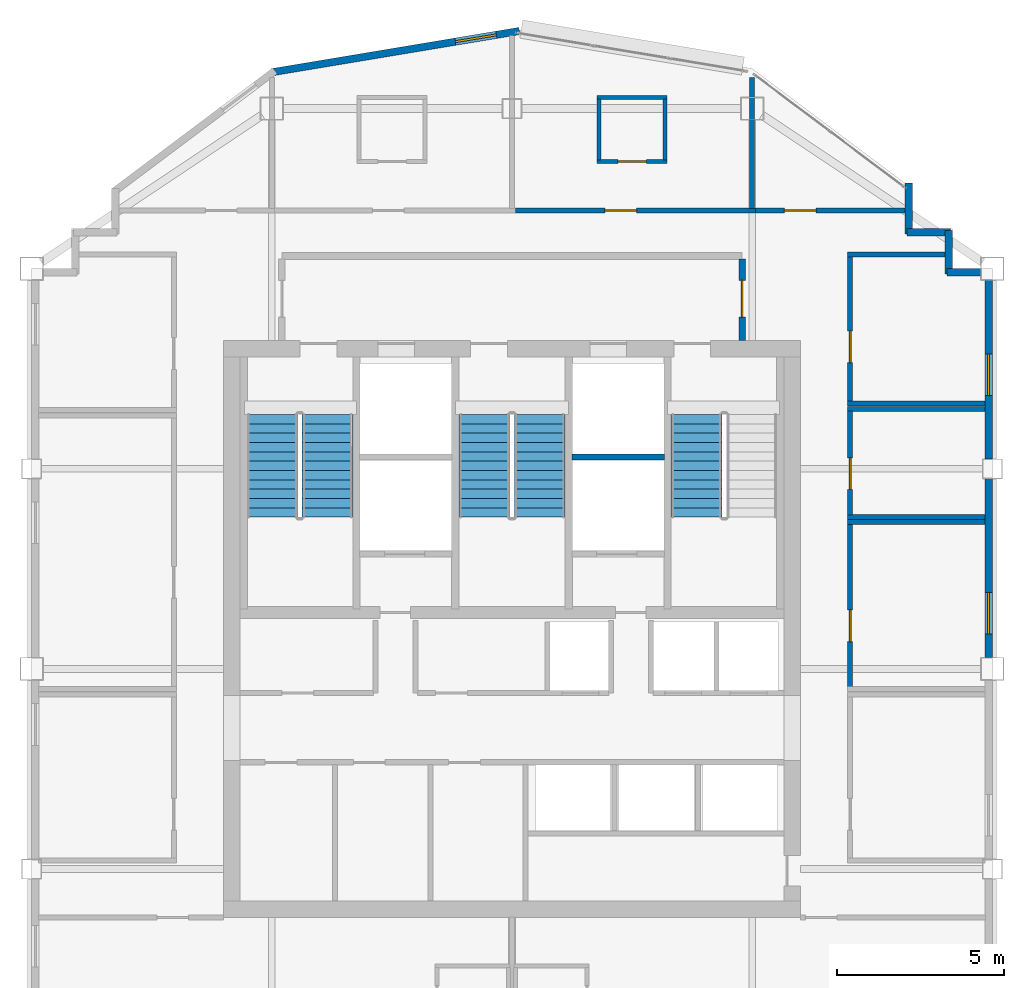
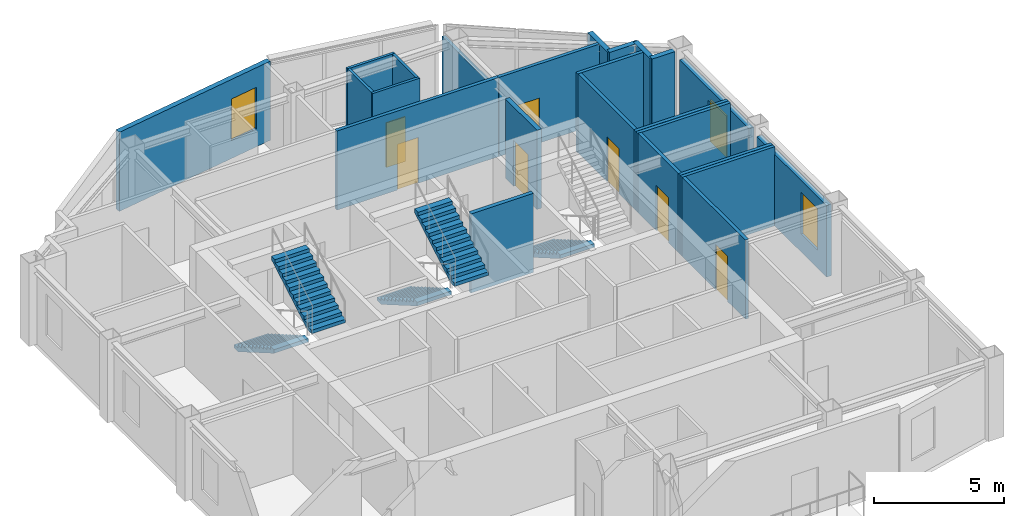
# One storey, part 7 of 10: 24 walls, 7 doors, 5 stair flights, 3 windows, 10 openings, 3 elements without a shape of their own.
"""IFC4 building model written with IfcOpenShell, lengths in metres."""

from ifc_helpers import new_model, si_unit, direction, frame, frame_2d, origin, place, context, subcontext, project, spatial, polyline, rectangle, outline, extrude, material, layer, layer_set, type_object, element, fill, aggregate, save


model = new_model("IFC4")

# Units and contexts
model_context = context("Model", 3, precision=1e-05, world=origin(), true_north=direction((0.0, 1.0)))
body_context = subcontext(model_context, "Body", "Model", "MODEL_VIEW")
ifc_project = project(units=[si_unit("LENGTHUNIT", "METRE"), si_unit("AREAUNIT", "SQUARE_METRE"), si_unit("VOLUMEUNIT", "CUBIC_METRE"), si_unit("PLANEANGLEUNIT", "RADIAN"), si_unit("MASSUNIT", "GRAM", prefix="KILO")], contexts=[model_context])

# Site, building, storey
site_placement = place(None, origin())
site = spatial("IfcSite", under=ifc_project, at=site_placement, CompositionType="ELEMENT")
building_placement = place(site_placement, origin())
building = spatial("IfcBuilding", under=site, at=building_placement, Name="Haolan Belvedere Tower", CompositionType="ELEMENT")
storey_placement = place(building_placement, frame((0.0, 0.0, 286.10009765625)))
storey = spatial("IfcBuildingStorey", under=building, at=storey_placement, Name="L72", CompositionType="ELEMENT", Elevation=286.10009765625)

# Wall, opening, window
ifc_material_1 = material(Name="Precast concrete C40/50", Category="concrete")
ifc_layer_1 = layer(ifc_material_1, 0.219970703125, Name="Precast concrete C40/50")
ifc_layer_set_1 = layer_set([ifc_layer_1], Name="Precast concrete C40/50")
wall_type_1 = type_object("IfcWallType", Name="WL-EXT-220", PredefinedType="SOLIDWALL", material=ifc_layer_set_1)
wall_1_placement = place(storey_placement, frame((52.68994140625, 33.94189453125, 0.0), z_axis=(0.0, 0.0, 1.0), x_axis=(0.0, 1.0, 0.0)))
wall_1 = element("IfcWall", 1, at=wall_1_placement, inside=storey, type_object=wall_type_1, Name="L72 pale-metal exterior spandrel wall 3.3", PredefinedType="SOLIDWALL", context=body_context, shape_type="SweptSolid", body=[
    extrude(rectangle(XDim=5.3662109375, YDim=0.219970703125, at=frame_2d((2.68310546875, 0.0))), origin(), (0.0, 0.0, 1.0), 3.364990234375),
])
opening_1_placement = place(wall_1_placement, frame((0.699951171875, 0.0, 0.85009765625)))
opening_1 = element("IfcOpeningElement", 2, at=opening_1_placement, cuts=wall_1, Name="Opening W-04", PredefinedType="OPENING", context=body_context, shape_type="SweptSolid", body=[
    extrude(rectangle(XDim=1.25, YDim=1.949951171875, at=frame_2d((0.625, 0.97509765625))), frame((0.0, 0.119873046875, 0.0), z_axis=(0.0, -1.0, 0.0), x_axis=(1.0, 0.0, 0.0)), (0.0, 0.0, 1.0), 0.239990234375),
])
ifc_material_2 = material(Name="Anodised aluminium 6063-T6 and Low-E glass", Category="aluminium")
window_type = type_object("IfcWindowType", Name="WN-DECO-Z4", PartitioningType="SINGLE_PANEL", PredefinedType="WINDOW", material=ifc_material_2)
window_1_placement = place(opening_1_placement, origin())
window_1 = element("IfcWindow", 3, at=window_1_placement, inside=storey, type_object=window_type, Name="L72 Art Deco chevron window 1", OverallHeight=1.949951171875, OverallWidth=1.25, PartitioningType="SINGLE_PANEL", PredefinedType="WINDOW", context=body_context, shape_type="SweptSolid", body=[
    extrude(rectangle(XDim=1.25, YDim=1.949951171875, at=frame_2d((0.625, 0.97509765625))), frame((0.0, 0.030029296875, 0.0), z_axis=(0.0, -1.0, 0.0), x_axis=(1.0, 0.0, 0.0)), (0.0, 0.0, 1.0), 0.06005859375),
])
fill(opening_1, window_1)

wall_2_placement = place(storey_placement, frame((52.68994140625, 39.89208984375, 0.0), z_axis=(0.0, 0.0, 1.0), x_axis=(0.0, 1.0, 0.0)))
wall_2 = element("IfcWall", 4, at=wall_2_placement, inside=storey, type_object=wall_type_1, Name="L72 pale-metal exterior spandrel wall 3.4", PredefinedType="SOLIDWALL", context=body_context, shape_type="SweptSolid", body=[
    extrude(rectangle(XDim=5.365966796875, YDim=0.219970703125, at=frame_2d((2.68310546875, 0.0))), origin(), (0.0, 0.0, 1.0), 3.364990234375),
])
opening_2_placement = place(wall_2_placement, frame((1.903076171875, 0.0, 0.85009765625)))
opening_2 = element("IfcOpeningElement", 5, at=opening_2_placement, cuts=wall_2, Name="Opening W-04", PredefinedType="OPENING", context=body_context, shape_type="SweptSolid", body=[
    extrude(rectangle(XDim=1.25, YDim=1.949951171875, at=frame_2d((0.625, 0.97509765625))), frame((0.0, 0.119873046875, 0.0), z_axis=(0.0, -1.0, 0.0), x_axis=(1.0, 0.0, 0.0)), (0.0, 0.0, 1.0), 0.239990234375),
])
window_2_placement = place(opening_2_placement, origin())
window_2 = element("IfcWindow", 6, at=window_2_placement, inside=storey, type_object=window_type, Name="L72 Art Deco chevron window 1", OverallHeight=1.949951171875, OverallWidth=1.25, PartitioningType="SINGLE_PANEL", PredefinedType="WINDOW", context=body_context, shape_type="SweptSolid", body=[
    extrude(rectangle(XDim=1.25, YDim=1.949951171875, at=frame_2d((0.625, 0.97509765625))), frame((0.0, 0.030029296875, 0.0), z_axis=(0.0, -1.0, 0.0), x_axis=(1.0, 0.0, 0.0)), (0.0, 0.0, 1.0), 0.06005859375),
])
fill(opening_2, window_2)

# Walls
wall_3_placement = place(storey_placement, frame((52.4580078125, 45.489990234375, 0.0), z_axis=(0.0, 0.0, 1.0), x_axis=(-1.0, 0.0, 0.0)))
element("IfcWall", 7, at=wall_3_placement, inside=storey, type_object=wall_type_1, Name="L72 pale-metal exterior spandrel wall 4.1", PredefinedType="SOLIDWALL", context=body_context, shape_type="SweptSolid", body=[
    extrude(rectangle(XDim=1.02294921875, YDim=0.219970703125, at=frame_2d((0.511474609375, 0.0))), origin(), (0.0, 0.0, 1.0), 3.719970703125),
])
wall_4_placement = place(storey_placement, frame((51.489990234375, 45.43505859375, 0.0), z_axis=(0.0, 0.0, 1.0), x_axis=(0.0, 1.0, 0.0)))
element("IfcWall", 8, at=wall_4_placement, inside=storey, type_object=wall_type_1, Name="L72 pale-metal exterior spandrel wall 5.1", PredefinedType="SOLIDWALL", context=body_context, shape_type="SweptSolid", body=[
    extrude(rectangle(XDim=1.31005859375, YDim=0.219970703125, at=frame_2d((0.655029296875, 0.0))), origin(), (0.0, 0.0, 1.0), 3.719970703125),
])
wall_5_placement = place(storey_placement, frame((51.544921875, 46.68994140625, 0.0), z_axis=(0.0, 0.0, 1.0), x_axis=(-1.0, 0.0, 0.0)))
element("IfcWall", 9, at=wall_5_placement, inside=storey, type_object=wall_type_1, Name="L72 pale-metal exterior spandrel wall 6.1", PredefinedType="SOLIDWALL", context=body_context, shape_type="SweptSolid", body=[
    extrude(rectangle(XDim=1.309814453125, YDim=0.219970703125, at=frame_2d((0.65478515625, 0.0))), origin(), (0.0, 0.0, 1.0), 3.719970703125),
])
wall_6_placement = place(storey_placement, frame((50.2900390625, 46.635009765625, 0.0), z_axis=(0.0, 0.0, 1.0), x_axis=(0.0, 1.0, 0.0)))
element("IfcWall", 10, at=wall_6_placement, inside=storey, type_object=wall_type_1, Name="L72 pale-metal exterior spandrel wall 7.1", PredefinedType="SOLIDWALL", context=body_context, shape_type="SweptSolid", body=[
    extrude(rectangle(XDim=1.534912109375, YDim=0.219970703125, at=frame_2d((0.767578125, 0.0))), origin(), (0.0, 0.0, 1.0), 3.719970703125),
])

# Wall, opening, window
wall_7_placement = place(storey_placement, frame((38.621826171875, 52.7255859375, 0.0), z_axis=(0.0, 0.0, 1.0), x_axis=(-0.986390420428, -0.164420006349, 0.0)))
wall_7 = element("IfcWall", 11, at=wall_7_placement, inside=storey, type_object=wall_type_1, Name="L72 pale-metal exterior spandrel wall 10.1", PredefinedType="SOLIDWALL", context=body_context, shape_type="SweptSolid", body=[
    extrude(rectangle(XDim=7.5341796875, YDim=0.219970703125, at=frame_2d((3.76708984375, 0.0))), origin(), (0.0, 0.0, 1.0), 3.719970703125),
])
opening_3_placement = place(wall_7_placement, frame((0.699951171875, 0.0, 0.85009765625)))
opening_3 = element("IfcOpeningElement", 12, at=opening_3_placement, cuts=wall_7, Name="Opening W-04", PredefinedType="OPENING", context=body_context, shape_type="SweptSolid", body=[
    extrude(rectangle(XDim=1.25, YDim=1.949951171875, at=frame_2d((0.625, 0.97509765625))), frame((0.0, 0.119873046875, 0.0), z_axis=(0.0, -1.0, 0.0), x_axis=(1.0, 0.0, 0.0)), (0.0, 0.0, 1.0), 0.239990234375),
])
window_3_placement = place(opening_3_placement, origin())
window_3 = element("IfcWindow", 13, at=window_3_placement, inside=storey, type_object=window_type, Name="L72 Art Deco chevron window 1", OverallHeight=1.949951171875, OverallWidth=1.25, PartitioningType="SINGLE_PANEL", PredefinedType="WINDOW", context=body_context, shape_type="SweptSolid", body=[
    extrude(rectangle(XDim=1.25, YDim=1.949951171875, at=frame_2d((0.625, 0.97509765625))), frame((0.0, 0.030029296875, 0.0), z_axis=(0.0, -1.0, 0.0), x_axis=(1.0, 0.0, 0.0)), (0.0, 0.0, 1.0), 0.06005859375),
])
fill(opening_3, window_3)

# Wall, opening, door
ifc_material_3 = material(Name="Concrete C40/50", Category="concrete")
ifc_layer_2 = layer(ifc_material_3, 0.199951171875, Name="Concrete C40/50")
ifc_layer_set_2 = layer_set([ifc_layer_2], Name="Concrete C40/50")
wall_type_2 = type_object("IfcWallType", Name="WL-FIRE-200", PredefinedType="SOLIDWALL", material=ifc_layer_set_2)
wall_8_placement = place(storey_placement, frame((45.300048828125, 43.449951171875, 0.0), z_axis=(0.0, 0.0, 1.0), x_axis=(0.0, 1.0, 0.0)))
wall_8 = element("IfcWall", 14, at=wall_8_placement, inside=storey, type_object=wall_type_2, Name="L72 interior partition IW-L72-FFL-E", PredefinedType="SOLIDWALL", context=body_context, shape_type="SweptSolid", body=[
    extrude(rectangle(XDim=2.445068359375, YDim=0.199951171875, at=frame_2d((1.22265625, 0.0))), origin(), (0.0, 0.0, 1.0), 3.719970703125),
])
opening_4_placement = place(wall_8_placement, frame((0.699951171875, 0.0, 0.0)))
opening_4 = element("IfcOpeningElement", 15, at=opening_4_placement, cuts=wall_8, Name="Opening FD-03", PredefinedType="OPENING", context=body_context, shape_type="SweptSolid", body=[
    extrude(rectangle(XDim=1.10009765625, YDim=2.14990234375, at=frame_2d((0.550048828125, 1.074951171875))), frame((0.0, 0.10986328125, 0.0), z_axis=(0.0, -1.0, 0.0), x_axis=(1.0, 0.0, 0.0)), (0.0, 0.0, 1.0), 0.219970703125),
])
ifc_material_4 = material(Name="Galvanised fire-rated steel", Category="steel")
door_type_1 = type_object("IfcDoorType", Name="DR-FD90-1100", OperationType="NOTDEFINED", PredefinedType="DOOR", material=ifc_material_4)
door_1_placement = place(opening_4_placement, origin())
door_1 = element("IfcDoor", 16, at=door_1_placement, inside=storey, type_object=door_type_1, Name="L72 door ID-L72-FFL-DE", OperationType="SINGLE_SWING_RIGHT", OverallHeight=2.14990234375, OverallWidth=1.10009765625, PredefinedType="DOOR", context=body_context, shape_type="SweptSolid", body=[
    extrude(rectangle(XDim=1.10009765625, YDim=2.14990234375, at=frame_2d((0.550048828125, 1.074951171875))), frame((0.0, 0.02490234375, 0.0), z_axis=(0.0, -1.0, 0.0), x_axis=(1.0, 0.0, 0.0)), (0.0, 0.0, 1.0), 0.050048828125),
])
fill(opening_4, door_1)

# Wall
ifc_material_5 = material(Name="Double gypsum acoustic stud partition", Category="masonry")
ifc_layer_3 = layer(ifc_material_5, 0.14990234375, Name="Double gypsum acoustic stud partition")
ifc_layer_set_3 = layer_set([ifc_layer_3], Name="Double gypsum acoustic stud partition")
wall_type_3 = type_object("IfcWallType", Name="WL-PART-150", PredefinedType="PARTITIONING", material=ifc_layer_set_3)
wall_9_placement = place(storey_placement, frame((48.4599609375, 38.0, 0.0), z_axis=(0.0, 0.0, 1.0), x_axis=(1.0, 0.0, 0.0)))
element("IfcWall", 17, at=wall_9_placement, inside=storey, type_object=wall_type_3, Name="L72 interior partition IW-L72-BPN-N", PredefinedType="PARTITIONING", context=body_context, shape_type="SweptSolid", body=[
    extrude(rectangle(XDim=4.1279296875, YDim=0.14990234375, at=frame_2d((2.06396484375, 0.0))), origin(), (0.0, 0.0, 1.0), 3.719970703125),
])

# Wall, opening, door
wall_10_placement = place(storey_placement, frame((48.5400390625, 33.06005859375, 0.0), z_axis=(0.0, 0.0, 1.0), x_axis=(0.0, 1.0, 0.0)))
wall_10 = element("IfcWall", 18, at=wall_10_placement, inside=storey, type_object=wall_type_3, Name="L72 interior partition IW-L72-BPN-W", PredefinedType="PARTITIONING", context=body_context, shape_type="SweptSolid", body=[
    extrude(rectangle(XDim=4.8798828125, YDim=0.14990234375, at=frame_2d((2.43994140625, 0.0))), origin(), (0.0, 0.0, 1.0), 3.719970703125),
])
opening_5_placement = place(wall_10_placement, frame((1.360107421875, 0.0, 0.0)))
opening_5 = element("IfcOpeningElement", 19, at=opening_5_placement, cuts=wall_10, Name="Opening ID-03", PredefinedType="OPENING", context=body_context, shape_type="SweptSolid", body=[
    extrude(rectangle(XDim=0.949951171875, YDim=2.1201171875, at=frame_2d((0.47509765625, 1.06005859375))), frame((0.0, 0.0849609375, 0.0), z_axis=(0.0, -1.0, 0.0), x_axis=(1.0, 0.0, 0.0)), (0.0, 0.0, 1.0), 0.169921875),
])
ifc_material_6 = material(Name="Painted solid-core timber", Category="wood")
door_type_2 = type_object("IfcDoorType", Name="DR-INT-950", OperationType="NOTDEFINED", PredefinedType="DOOR", material=ifc_material_6)
door_2_placement = place(opening_5_placement, origin())
door_2 = element("IfcDoor", 20, at=door_2_placement, inside=storey, type_object=door_type_2, Name="L72 door ID-L72-BPN", OperationType="SINGLE_SWING_RIGHT", OverallHeight=2.1201171875, OverallWidth=0.949951171875, PredefinedType="DOOR", context=body_context, shape_type="SweptSolid", body=[
    extrude(rectangle(XDim=0.949951171875, YDim=2.1201171875, at=frame_2d((0.47509765625, 1.06005859375))), frame((0.0, 0.02490234375, 0.0), z_axis=(0.0, -1.0, 0.0), x_axis=(1.0, 0.0, 0.0)), (0.0, 0.0, 1.0), 0.050048828125),
])
fill(opening_5, door_2)

# Walls
for number, where, z_axis, x_axis, name in (
    (21, (48.4599609375, 41.39990234375, 0.0), (0.0, 0.0, 1.0), (1.0, 0.0, 0.0), "L72 interior partition IW-L72-AWC-N"),
    (22, (48.4599609375, 38.159912109375, 0.0), (0.0, 0.0, 1.0), (1.0, 0.0, 0.0), "L72 interior partition IW-L72-AWC-S"),
):
    element("IfcWall", number, at=place(storey_placement, frame(where, z_axis=z_axis, x_axis=x_axis)), inside=storey, type_object=wall_type_3, Name=name, PredefinedType="PARTITIONING", context=body_context, shape_type="SweptSolid", body=[
        extrude(rectangle(XDim=4.1279296875, YDim=0.14990234375, at=frame_2d((2.06396484375, 0.0))), origin(), (0.0, 0.0, 1.0), 3.719970703125),
    ])

# Wall, opening, door
wall_11_placement = place(storey_placement, frame((48.5400390625, 38.219970703125, 0.0), z_axis=(0.0, 0.0, 1.0), x_axis=(0.0, 1.0, 0.0)))
wall_11 = element("IfcWall", 23, at=wall_11_placement, inside=storey, type_object=wall_type_3, Name="L72 interior partition IW-L72-AWC-W", PredefinedType="PARTITIONING", context=body_context, shape_type="SweptSolid", body=[
    extrude(rectangle(XDim=3.1201171875, YDim=0.14990234375, at=frame_2d((1.56005859375, 0.0))), origin(), (0.0, 0.0, 1.0), 3.719970703125),
])
opening_6_placement = place(wall_11_placement, frame((0.760009765625, 0.0, 0.0)))
opening_6 = element("IfcOpeningElement", 24, at=opening_6_placement, cuts=wall_11, Name="Opening ID-03", PredefinedType="OPENING", context=body_context, shape_type="SweptSolid", body=[
    extrude(rectangle(XDim=0.949951171875, YDim=2.1201171875, at=frame_2d((0.47509765625, 1.06005859375))), frame((0.0, 0.0849609375, 0.0), z_axis=(0.0, -1.0, 0.0), x_axis=(1.0, 0.0, 0.0)), (0.0, 0.0, 1.0), 0.169921875),
])
door_3_placement = place(opening_6_placement, origin())
door_3 = element("IfcDoor", 25, at=door_3_placement, inside=storey, type_object=door_type_2, Name="L72 door ID-L72-AWC", OperationType="SINGLE_SWING_LEFT", OverallHeight=2.1201171875, OverallWidth=0.949951171875, PredefinedType="DOOR", context=body_context, shape_type="SweptSolid", body=[
    extrude(rectangle(XDim=0.949951171875, YDim=2.1201171875, at=frame_2d((0.47509765625, 1.06005859375))), frame((0.0, 0.02490234375, 0.0), z_axis=(0.0, -1.0, 0.0), x_axis=(1.0, 0.0, 0.0)), (0.0, 0.0, 1.0), 0.050048828125),
])
fill(opening_6, door_3)

# Walls
wall_12_placement = place(storey_placement, frame((48.4599609375, 46.02001953125, 0.0), z_axis=(0.0, 0.0, 1.0), x_axis=(1.0, 0.0, 0.0)))
element("IfcWall", 26, at=wall_12_placement, inside=storey, type_object=wall_type_3, Name="L72 interior partition IW-L72-CLN-N", PredefinedType="PARTITIONING", context=body_context, shape_type="SweptSolid", body=[
    extrude(rectangle(XDim=2.927978515625, YDim=0.14990234375, at=frame_2d((1.4638671875, 0.0))), origin(), (0.0, 0.0, 1.0), 3.719970703125),
])
wall_13_placement = place(storey_placement, frame((48.4599609375, 41.56005859375, 0.0), z_axis=(0.0, 0.0, 1.0), x_axis=(1.0, 0.0, 0.0)))
element("IfcWall", 27, at=wall_13_placement, inside=storey, type_object=wall_type_3, Name="L72 interior partition IW-L72-CLN-S", PredefinedType="PARTITIONING", context=body_context, shape_type="SweptSolid", body=[
    extrude(rectangle(XDim=4.1279296875, YDim=0.14990234375, at=frame_2d((2.06396484375, 0.0))), origin(), (0.0, 0.0, 1.0), 3.719970703125),
])

# Wall, opening, door
wall_14_placement = place(storey_placement, frame((48.5400390625, 41.6201171875, 0.0), z_axis=(0.0, 0.0, 1.0), x_axis=(0.0, 1.0, 0.0)))
wall_14 = element("IfcWall", 28, at=wall_14_placement, inside=storey, type_object=wall_type_3, Name="L72 interior partition IW-L72-CLN-W", PredefinedType="PARTITIONING", context=body_context, shape_type="SweptSolid", body=[
    extrude(rectangle(XDim=4.33984375, YDim=0.14990234375, at=frame_2d((2.169921875, 0.0))), origin(), (0.0, 0.0, 1.0), 3.719970703125),
])
opening_7_placement = place(wall_14_placement, frame((1.159912109375, 0.0, 0.0)))
opening_7 = element("IfcOpeningElement", 29, at=opening_7_placement, cuts=wall_14, Name="Opening ID-03", PredefinedType="OPENING", context=body_context, shape_type="SweptSolid", body=[
    extrude(rectangle(XDim=0.949951171875, YDim=2.1201171875, at=frame_2d((0.47509765625, 1.06005859375))), frame((0.0, 0.0849609375, 0.0), z_axis=(0.0, -1.0, 0.0), x_axis=(1.0, 0.0, 0.0)), (0.0, 0.0, 1.0), 0.169921875),
])
door_4_placement = place(opening_7_placement, origin())
door_4 = element("IfcDoor", 30, at=door_4_placement, inside=storey, type_object=door_type_2, Name="L72 door ID-L72-CLN", OperationType="SINGLE_SWING_RIGHT", OverallHeight=2.1201171875, OverallWidth=0.949951171875, PredefinedType="DOOR", context=body_context, shape_type="SweptSolid", body=[
    extrude(rectangle(XDim=0.949951171875, YDim=2.1201171875, at=frame_2d((0.47509765625, 1.06005859375))), frame((0.0, 0.02490234375, 0.0), z_axis=(0.0, -1.0, 0.0), x_axis=(1.0, 0.0, 0.0)), (0.0, 0.0, 1.0), 0.050048828125),
])
fill(opening_7, door_4)

wall_15_placement = place(storey_placement, frame((38.501953125, 47.340087890625, 0.0), z_axis=(0.0, 0.0, 1.0), x_axis=(1.0, 0.0, 0.0)))
wall_15 = element("IfcWall", 31, at=wall_15_placement, inside=storey, type_object=wall_type_3, Name="L72 interior partition IW-L72-KN3-S", PredefinedType="PARTITIONING", context=body_context, shape_type="SweptSolid", body=[
    extrude(rectangle(XDim=7.197998046875, YDim=0.14990234375, at=frame_2d((3.59912109375, 0.0))), origin(), (0.0, 0.0, 1.0), 3.719970703125),
])
opening_8_placement = place(wall_15_placement, frame((2.684814453125, 0.0, 0.0)))
opening_8 = element("IfcOpeningElement", 32, at=opening_8_placement, cuts=wall_15, Name="Opening ID-02", PredefinedType="OPENING", context=body_context, shape_type="SweptSolid", body=[
    extrude(rectangle(XDim=0.949951171875, YDim=2.14990234375, at=frame_2d((0.47509765625, 1.074951171875))), frame((0.0, 0.0849609375, 0.0), z_axis=(0.0, -1.0, 0.0), x_axis=(1.0, 0.0, 0.0)), (0.0, 0.0, 1.0), 0.169921875),
])
ifc_material_7 = material(Name="Acoustic oak veneer fire-rated timber", Category="wood")
door_type_3 = type_object("IfcDoorType", Name="DR-GUEST-950", OperationType="NOTDEFINED", PredefinedType="DOOR", material=ifc_material_7)
door_5_placement = place(opening_8_placement, origin())
door_5 = element("IfcDoor", 33, at=door_5_placement, inside=storey, type_object=door_type_3, Name="L72 door ID-L72-KN3-ENT", OperationType="SINGLE_SWING_RIGHT", OverallHeight=2.14990234375, OverallWidth=0.949951171875, PredefinedType="DOOR", context=body_context, shape_type="SweptSolid", body=[
    extrude(rectangle(XDim=0.949951171875, YDim=2.14990234375, at=frame_2d((0.47509765625, 1.074951171875))), frame((0.0, 0.02490234375, 0.0), z_axis=(0.0, -1.0, 0.0), x_axis=(1.0, 0.0, 0.0)), (0.0, 0.0, 1.0), 0.050048828125),
])
fill(opening_8, door_5)

# Wall
wall_16_placement = place(storey_placement, frame((45.60009765625, 47.39990234375, 0.0), z_axis=(0.0, 0.0, 1.0), x_axis=(0.0, 1.0, 0.0)))
element("IfcWall", 34, at=wall_16_placement, inside=storey, type_object=wall_type_3, Name="L72 interior partition IW-L72-KN3-E", PredefinedType="PARTITIONING", context=body_context, shape_type="SweptSolid", body=[
    extrude(rectangle(XDim=3.93505859375, YDim=0.14990234375, at=frame_2d((1.967529296875, 0.0))), origin(), (0.0, 0.0, 1.0), 3.2548828125),
])

# Wall, opening, door
wall_17_placement = place(storey_placement, frame((45.701904296875, 47.340087890625, 0.0), z_axis=(0.0, 0.0, 1.0), x_axis=(1.0, 0.0, 0.0)))
wall_17 = element("IfcWall", 35, at=wall_17_placement, inside=storey, type_object=wall_type_3, Name="L72 interior partition IW-L72-KN4-S", PredefinedType="PARTITIONING", context=body_context, shape_type="SweptSolid", body=[
    extrude(rectangle(XDim=4.486083984375, YDim=0.14990234375, at=frame_2d((2.2431640625, 0.0))), origin(), (0.0, 0.0, 1.0), 3.719970703125),
])
opening_9_placement = place(wall_17_placement, frame((0.863037109375, 0.0, 0.0)))
opening_9 = element("IfcOpeningElement", 36, at=opening_9_placement, cuts=wall_17, Name="Opening ID-03", PredefinedType="OPENING", context=body_context, shape_type="SweptSolid", body=[
    extrude(rectangle(XDim=0.949951171875, YDim=2.1201171875, at=frame_2d((0.47509765625, 1.06005859375))), frame((0.0, 0.0849609375, 0.0), z_axis=(0.0, -1.0, 0.0), x_axis=(1.0, 0.0, 0.0)), (0.0, 0.0, 1.0), 0.169921875),
])
door_6_placement = place(opening_9_placement, origin())
door_6 = element("IfcDoor", 37, at=door_6_placement, inside=storey, type_object=door_type_2, Name="L72 door ID-L72-KN4", OperationType="SINGLE_SWING_LEFT", OverallHeight=2.1201171875, OverallWidth=0.949951171875, PredefinedType="DOOR", context=body_context, shape_type="SweptSolid", body=[
    extrude(rectangle(XDim=0.949951171875, YDim=2.1201171875, at=frame_2d((0.47509765625, 1.06005859375))), frame((0.0, 0.02490234375, 0.0), z_axis=(0.0, -1.0, 0.0), x_axis=(1.0, 0.0, 0.0)), (0.0, 0.0, 1.0), 0.050048828125),
])
fill(opening_9, door_6)

# Walls
ifc_layer_4 = layer(ifc_material_1, 0.179931640625, Name="Precast concrete C40/50")
ifc_layer_set_4 = layer_set([ifc_layer_4], Name="Precast concrete C40/50")
wall_type_4 = type_object("IfcWallType", Name="WL-SHAFT-180", PredefinedType="SOLIDWALL", material=ifc_layer_set_4)
wall_18_placement = place(storey_placement, frame((40.195068359375, 39.949951171875, 0.0), z_axis=(0.0, 0.0, 1.0), x_axis=(1.0, 0.0, 0.0)))
element("IfcWall", 38, at=wall_18_placement, inside=storey, type_object=wall_type_4, Name="L72 interior partition IW-L72-FF2-S", PredefinedType="SOLIDWALL", context=body_context, shape_type="SweptSolid", body=[
    extrude(rectangle(XDim=2.77001953125, YDim=0.179931640625, at=frame_2d((1.385009765625, 0.0))), origin(), (0.0, 0.0, 1.0), 3.719970703125),
])
ifc_material_8 = material(Name="Moisture-resistant gypsum tile partition", Category="masonry")
ifc_layer_5 = layer(ifc_material_8, 0.1201171875, Name="Moisture-resistant gypsum tile partition")
ifc_layer_set_5 = layer_set([ifc_layer_5], Name="Moisture-resistant gypsum tile partition")
wall_type_5 = type_object("IfcWallType", Name="WL-WET-120", PredefinedType="PARTITIONING", material=ifc_layer_set_5)
wall_19_placement = place(storey_placement, frame((40.949951171875, 50.72998046875, 0.0), z_axis=(0.0, 0.0, 1.0), x_axis=(1.0, 0.0, 0.0)))
element("IfcWall", 39, at=wall_19_placement, inside=storey, type_object=wall_type_5, Name="L72 interior partition IW-L72-KN3-BN", PredefinedType="PARTITIONING", context=body_context, shape_type="SweptSolid", body=[
    extrude(rectangle(XDim=2.10009765625, YDim=0.1201171875, at=frame_2d((1.050048828125, 0.0))), origin(), (0.0, 0.0, 1.0), 3.719970703125),
])

# Wall, opening, door
wall_20_placement = place(storey_placement, frame((40.949951171875, 48.81005859375, 0.0), z_axis=(0.0, 0.0, 1.0), x_axis=(1.0, 0.0, 0.0)))
wall_20 = element("IfcWall", 40, at=wall_20_placement, inside=storey, type_object=wall_type_5, Name="L72 interior partition IW-L72-KN3-BS", PredefinedType="PARTITIONING", context=body_context, shape_type="SweptSolid", body=[
    extrude(rectangle(XDim=2.10009765625, YDim=0.1201171875, at=frame_2d((1.050048828125, 0.0))), origin(), (0.0, 0.0, 1.0), 3.719970703125),
])
opening_10_placement = place(wall_20_placement, frame((0.625, 0.0, 0.0)))
opening_10 = element("IfcOpeningElement", 41, at=opening_10_placement, cuts=wall_20, Name="Opening ID-05", PredefinedType="OPENING", context=body_context, shape_type="SweptSolid", body=[
    extrude(rectangle(XDim=0.85009765625, YDim=2.10009765625, at=frame_2d((0.425048828125, 1.050048828125))), frame((0.0, 0.070068359375, 0.0), z_axis=(0.0, -1.0, 0.0), x_axis=(1.0, 0.0, 0.0)), (0.0, 0.0, 1.0), 0.14013671875),
])
ifc_material_9 = material(Name="Moisture-resistant lacquered timber", Category="wood")
door_type_4 = type_object("IfcDoorType", Name="DR-BATH-850", OperationType="NOTDEFINED", PredefinedType="DOOR", material=ifc_material_9)
door_7_placement = place(opening_10_placement, origin())
door_7 = element("IfcDoor", 42, at=door_7_placement, inside=storey, type_object=door_type_4, Name="L72 door ID-L72-KN3-BATH", OperationType="SINGLE_SWING_LEFT", OverallHeight=2.10009765625, OverallWidth=0.85009765625, PredefinedType="DOOR", context=body_context, shape_type="SweptSolid", body=[
    extrude(rectangle(XDim=0.85009765625, YDim=2.10009765625, at=frame_2d((0.425048828125, 1.050048828125))), frame((0.0, 0.02490234375, 0.0), z_axis=(0.0, -1.0, 0.0), x_axis=(1.0, 0.0, 0.0)), (0.0, 0.0, 1.0), 0.050048828125),
])
fill(opening_10, door_7)

# Walls
for number, where, z_axis, x_axis, name in (
    (43, (41.010009765625, 48.85498046875, 0.0), (0.0, 0.0, 1.0), (0.0, 1.0, 0.0), "L72 interior partition IW-L72-KN3-BW"),
    (44, (42.989990234375, 48.85498046875, 0.0), (0.0, 0.0, 1.0), (0.0, 1.0, 0.0), "L72 interior partition IW-L72-KN3-BE"),
):
    element("IfcWall", number, at=place(storey_placement, frame(where, z_axis=z_axis, x_axis=x_axis)), inside=storey, type_object=wall_type_5, Name=name, PredefinedType="PARTITIONING", context=body_context, shape_type="SweptSolid", body=[
        extrude(rectangle(XDim=1.830078125, YDim=0.1201171875, at=frame_2d((0.9150390625, 0.0))), origin(), (0.0, 0.0, 1.0), 3.719970703125),
    ])

# Stair, stair flights
stair_type = type_object("IfcStairType", Name="STR-DL-24R-162", PredefinedType="HALF_TURN_STAIR", material=ifc_material_3)
stair_1_placement = place(storey_placement, origin())
stair_1 = element("IfcStair", 45, at=stair_1_placement, inside=storey, type_object=stair_type, Name="L72 Smokeproof Core Exit Stair ST1", PredefinedType="HALF_TURN_STAIR")
stair_flight_type = type_object("IfcStairFlightType", Name="SFL-DL-12R-162", PredefinedType="STRAIGHT", material=ifc_material_3)
stair_flight_1_placement = place(storey_placement, frame((31.2099609375, 41.22998046875, 0.0), z_axis=(0.0, 0.0, 1.0), x_axis=(0.0, -1.0, 0.0)))
stair_flight_1 = element("IfcStairFlight", 46, at=stair_flight_1_placement, type_object=stair_flight_type, Name="ST1 flight 1", NumberOfRisers=12, NumberOfTreads=11, PredefinedType="STRAIGHT", RiserHeight=0.1625, TreadLength=0.28, context=body_context, shape_type="SweptSolid", body=[
    extrude(outline(polyline([(0.0, 0.0), (0.0, 0.16259765625), (0.280029296875, 0.16259765625), (0.280029296875, 0.324951171875), (0.56005859375, 0.324951171875), (0.56005859375, 0.487548828125), (0.840087890625, 0.487548828125), (0.840087890625, 0.64990234375), (1.1201171875, 0.64990234375), (1.1201171875, 0.8125), (1.39990234375, 0.8125), (1.39990234375, 0.97509765625), (1.679931640625, 0.97509765625), (1.679931640625, 1.137451171875), (1.9599609375, 1.137451171875), (1.9599609375, 1.300048828125), (2.239990234375, 1.300048828125), (2.239990234375, 1.46240234375), (2.52001953125, 1.46240234375), (2.52001953125, 1.625), (2.800048828125, 1.625), (2.800048828125, 1.78759765625), (3.080078125, 1.78759765625), (3.080078125, 1.949951171875), (3.080078125, 1.6142578125), (0.298583984375, 0.0), (0.0, 0.0)])), frame((0.0, 0.760009765625, 0.0), z_axis=(0.0, -1.0, 0.0), x_axis=(1.0, 0.0, 0.0)), (0.0, 0.0, 1.0), 1.52001953125),
])
stair_flight_2_placement = place(storey_placement, frame((32.8701171875, 38.14990234375, 1.949951171875), z_axis=(0.0, 0.0, 1.0), x_axis=(0.0, 1.0, 0.0)))
stair_flight_2 = element("IfcStairFlight", 47, at=stair_flight_2_placement, type_object=stair_flight_type, Name="ST1 flight 2", NumberOfRisers=12, NumberOfTreads=11, PredefinedType="STRAIGHT", RiserHeight=0.1625, TreadLength=0.28, context=body_context, shape_type="SweptSolid", body=[
    extrude(outline(polyline([(0.0, 0.0), (0.0, 0.16259765625), (0.280029296875, 0.16259765625), (0.280029296875, 0.324951171875), (0.56005859375, 0.324951171875), (0.56005859375, 0.487548828125), (0.840087890625, 0.487548828125), (0.840087890625, 0.64990234375), (1.1201171875, 0.64990234375), (1.1201171875, 0.8125), (1.39990234375, 0.8125), (1.39990234375, 0.97509765625), (1.679931640625, 0.97509765625), (1.679931640625, 1.137451171875), (1.9599609375, 1.137451171875), (1.9599609375, 1.300048828125), (2.239990234375, 1.300048828125), (2.239990234375, 1.46240234375), (2.52001953125, 1.46240234375), (2.52001953125, 1.625), (2.800048828125, 1.625), (2.800048828125, 1.78759765625), (3.080078125, 1.78759765625), (3.080078125, 1.949951171875), (3.080078125, 1.6142578125), (0.298583984375, 0.0), (0.0, 0.0)])), frame((0.0, 0.760009765625, 0.0), z_axis=(0.0, -1.0, 0.0), x_axis=(1.0, 0.0, 0.0)), (0.0, 0.0, 1.0), 1.52001953125),
])
aggregate(stair_1, [stair_flight_1, stair_flight_2])

stair_2_placement = place(storey_placement, origin())
stair_2 = element("IfcStair", 48, at=stair_2_placement, inside=storey, type_object=stair_type, Name="L72 Smokeproof Core Exit Stair ST3", PredefinedType="HALF_TURN_STAIR")
stair_flight_3_placement = place(storey_placement, frame((37.570068359375, 41.22998046875, 0.0), z_axis=(0.0, 0.0, 1.0), x_axis=(0.0, -1.0, 0.0)))
stair_flight_3 = element("IfcStairFlight", 49, at=stair_flight_3_placement, type_object=stair_flight_type, Name="ST3 flight 1", NumberOfRisers=12, NumberOfTreads=11, PredefinedType="STRAIGHT", RiserHeight=0.1625, TreadLength=0.28, context=body_context, shape_type="SweptSolid", body=[
    extrude(outline(polyline([(0.0, 0.0), (0.0, 0.16259765625), (0.280029296875, 0.16259765625), (0.280029296875, 0.324951171875), (0.56005859375, 0.324951171875), (0.56005859375, 0.487548828125), (0.840087890625, 0.487548828125), (0.840087890625, 0.64990234375), (1.1201171875, 0.64990234375), (1.1201171875, 0.8125), (1.39990234375, 0.8125), (1.39990234375, 0.97509765625), (1.679931640625, 0.97509765625), (1.679931640625, 1.137451171875), (1.9599609375, 1.137451171875), (1.9599609375, 1.300048828125), (2.239990234375, 1.300048828125), (2.239990234375, 1.46240234375), (2.52001953125, 1.46240234375), (2.52001953125, 1.625), (2.800048828125, 1.625), (2.800048828125, 1.78759765625), (3.080078125, 1.78759765625), (3.080078125, 1.949951171875), (3.080078125, 1.6142578125), (0.298583984375, 0.0), (0.0, 0.0)])), frame((0.0, 0.760009765625, 0.0), z_axis=(0.0, -1.0, 0.0), x_axis=(1.0, 0.0, 0.0)), (0.0, 0.0, 1.0), 1.52001953125),
])
stair_flight_4_placement = place(storey_placement, frame((39.22998046875, 38.14990234375, 1.949951171875), z_axis=(0.0, 0.0, 1.0), x_axis=(0.0, 1.0, 0.0)))
stair_flight_4 = element("IfcStairFlight", 50, at=stair_flight_4_placement, type_object=stair_flight_type, Name="ST3 flight 2", NumberOfRisers=12, NumberOfTreads=11, PredefinedType="STRAIGHT", RiserHeight=0.1625, TreadLength=0.28, context=body_context, shape_type="SweptSolid", body=[
    extrude(outline(polyline([(0.0, 0.0), (0.0, 0.16259765625), (0.280029296875, 0.16259765625), (0.280029296875, 0.324951171875), (0.56005859375, 0.324951171875), (0.56005859375, 0.487548828125), (0.840087890625, 0.487548828125), (0.840087890625, 0.64990234375), (1.1201171875, 0.64990234375), (1.1201171875, 0.8125), (1.39990234375, 0.8125), (1.39990234375, 0.97509765625), (1.679931640625, 0.97509765625), (1.679931640625, 1.137451171875), (1.9599609375, 1.137451171875), (1.9599609375, 1.300048828125), (2.239990234375, 1.300048828125), (2.239990234375, 1.46240234375), (2.52001953125, 1.46240234375), (2.52001953125, 1.625), (2.800048828125, 1.625), (2.800048828125, 1.78759765625), (3.080078125, 1.78759765625), (3.080078125, 1.949951171875), (3.080078125, 1.6142578125), (0.298583984375, 0.0), (0.0, 0.0)])), frame((0.0, 0.760009765625, 0.0), z_axis=(0.0, -1.0, 0.0), x_axis=(1.0, 0.0, 0.0)), (0.0, 0.0, 1.0), 1.52001953125),
])
aggregate(stair_2, [stair_flight_3, stair_flight_4])

# Stair, stair flight
stair_3_placement = place(storey_placement, origin())
stair_3 = element("IfcStair", 51, at=stair_3_placement, inside=storey, type_object=stair_type, Name="L72 Smokeproof Core Exit Stair ST2", PredefinedType="HALF_TURN_STAIR")
stair_flight_5_placement = place(storey_placement, frame((43.929931640625, 41.22998046875, 0.0), z_axis=(0.0, 0.0, 1.0), x_axis=(0.0, -1.0, 0.0)))
stair_flight_5 = element("IfcStairFlight", 52, at=stair_flight_5_placement, type_object=stair_flight_type, Name="ST2 flight 1", NumberOfRisers=12, NumberOfTreads=11, PredefinedType="STRAIGHT", RiserHeight=0.1625, TreadLength=0.28, context=body_context, shape_type="SweptSolid", body=[
    extrude(outline(polyline([(0.0, 0.0), (0.0, 0.16259765625), (0.280029296875, 0.16259765625), (0.280029296875, 0.324951171875), (0.56005859375, 0.324951171875), (0.56005859375, 0.487548828125), (0.840087890625, 0.487548828125), (0.840087890625, 0.64990234375), (1.1201171875, 0.64990234375), (1.1201171875, 0.8125), (1.39990234375, 0.8125), (1.39990234375, 0.97509765625), (1.679931640625, 0.97509765625), (1.679931640625, 1.137451171875), (1.9599609375, 1.137451171875), (1.9599609375, 1.300048828125), (2.239990234375, 1.300048828125), (2.239990234375, 1.46240234375), (2.52001953125, 1.46240234375), (2.52001953125, 1.625), (2.800048828125, 1.625), (2.800048828125, 1.78759765625), (3.080078125, 1.78759765625), (3.080078125, 1.949951171875), (3.080078125, 1.6142578125), (0.298583984375, 0.0), (0.0, 0.0)])), frame((0.0, 0.760009765625, 0.0), z_axis=(0.0, -1.0, 0.0), x_axis=(1.0, 0.0, 0.0)), (0.0, 0.0, 1.0), 1.52001953125),
])
aggregate(stair_3, [stair_flight_5])

save(model, "model.ifc")
